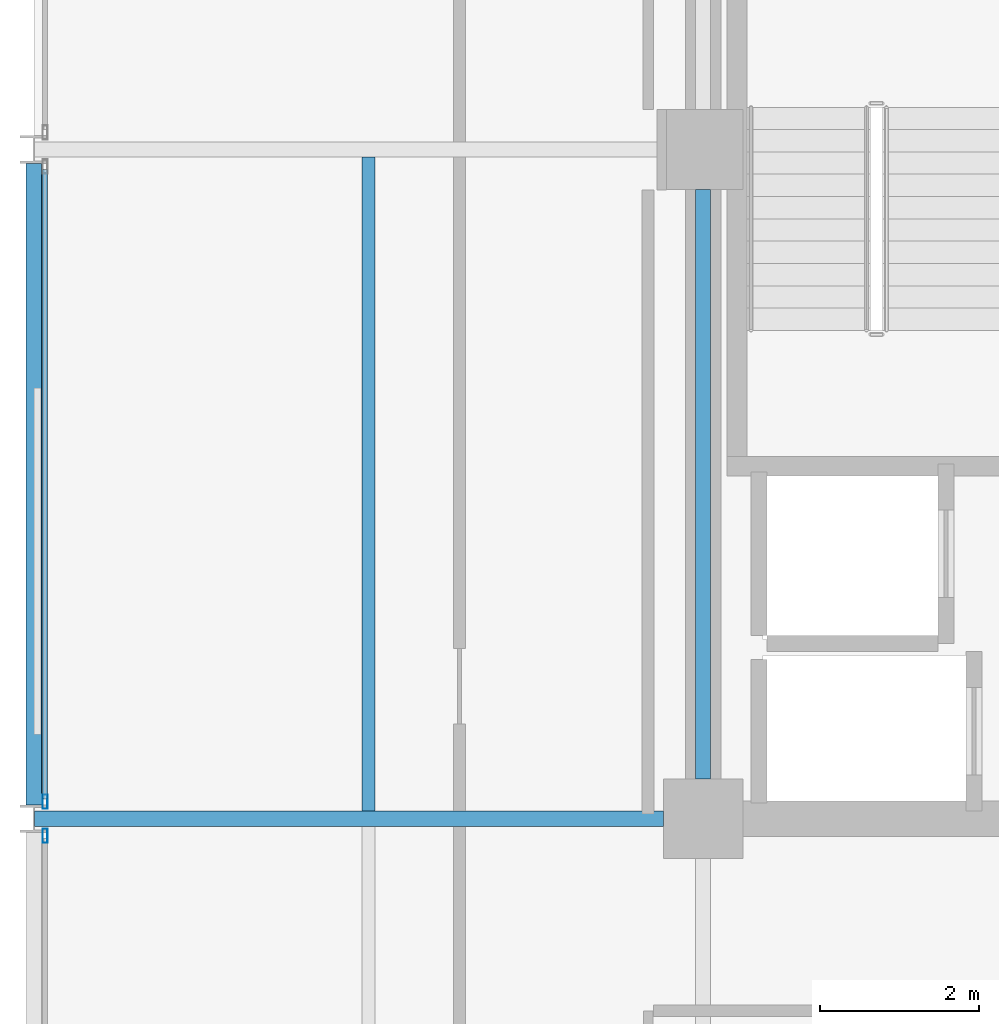
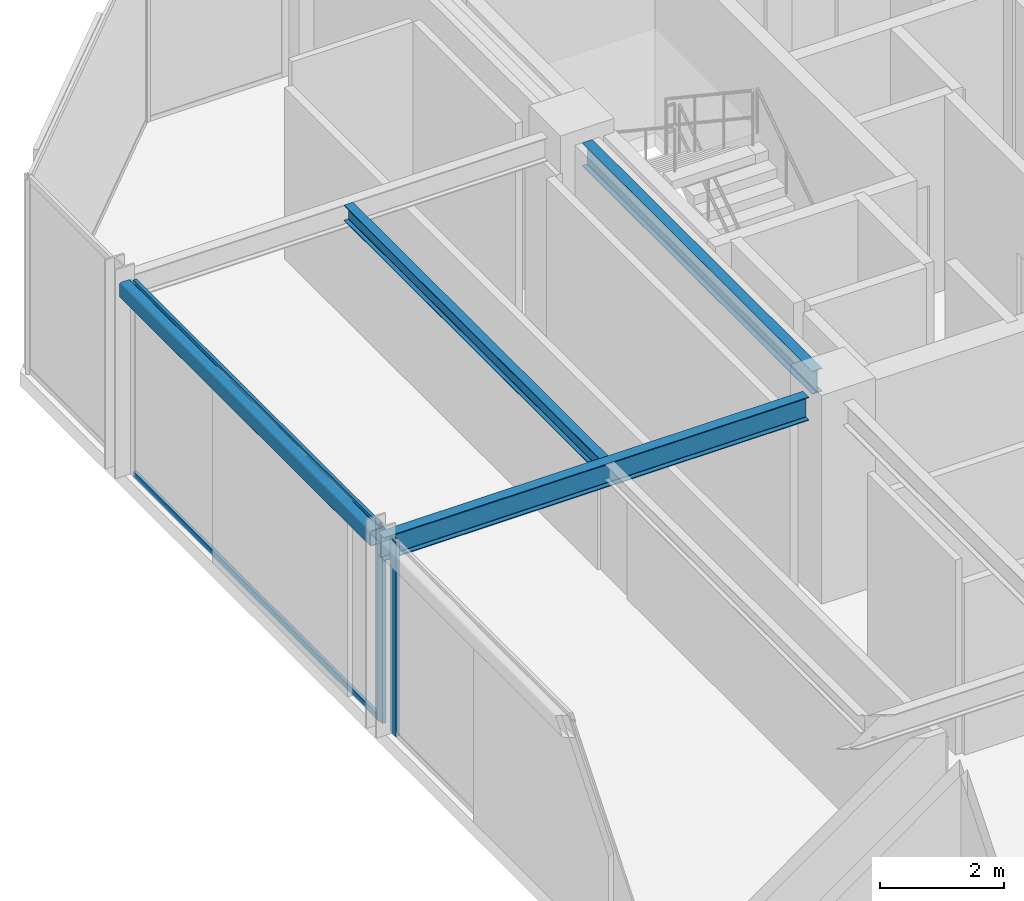
# One storey, part 10 of 25: 4 beams, 4 members, 2 elements without a shape of their own.
"""IFC4 building model written with IfcOpenShell, lengths in metres."""

from ifc_helpers import new_model, si_unit, direction, frame, origin, origin_2d, place, context, subcontext, project, spatial, hollow_rectangle, i_section, extrude, material, layer, layer_set, material_profile, profile_set, type_object, element, aggregate, save


model = new_model("IFC4")

# Units and contexts
model_context = context("Model", 3, precision=1e-05, world=origin(), true_north=direction((0.0, 1.0)))
body_context = subcontext(model_context, "Body", "Model", "MODEL_VIEW")
ifc_project = project(units=[si_unit("LENGTHUNIT", "METRE"), si_unit("AREAUNIT", "SQUARE_METRE"), si_unit("VOLUMEUNIT", "CUBIC_METRE"), si_unit("PLANEANGLEUNIT", "RADIAN"), si_unit("MASSUNIT", "GRAM", prefix="KILO")], contexts=[model_context])

# Site, building, storey
site_placement = place(None, origin())
site = spatial("IfcSite", under=ifc_project, at=site_placement, CompositionType="ELEMENT")
building_placement = place(site_placement, origin())
building = spatial("IfcBuilding", under=site, at=building_placement, Name="Nerrivon Quay Data Exchange", CompositionType="ELEMENT")
storey_placement = place(building_placement, frame((0.0, 0.0, 232.89990234375)))
storey = spatial("IfcBuildingStorey", under=building, at=storey_placement, Name="L55", CompositionType="ELEMENT", Elevation=232.89990234375)

# Beams
ifc_material_1 = material(Name="Steel Grade 350", Category="steel")
ifc_material_profile_1 = material_profile(ifc_material_1, i_section(OverallWidth=0.19091796875, OverallDepth=0.4599609375, WebThickness=0.010009765625, FlangeThickness=0.01611328125, FilletRadius=0.011474609375, at=origin_2d()), Name="460UB82.1")
ifc_profile_set_1 = profile_set([ifc_material_profile_1], Name="Steel Grade 350")
beam_type_1 = type_object("IfcBeamType", Name="BM-G5-460UB82", PredefinedType="BEAM", material=ifc_profile_set_1)
beam_1_placement = place(storey_placement, frame((0.010009765625, 25.199951171875, 3.59521484375), z_axis=(1.0, 0.0, 0.0), x_axis=(0.0, 1.0, 0.0)))
element("IfcBeam", 1, at=beam_1_placement, inside=storey, type_object=beam_type_1, Name="L55 EW Girder Y=25.2 (0.0..8.4)", PredefinedType="BEAM", context=body_context, shape_type="SweptSolid", body=[
    extrude(i_section(OverallWidth=0.19091796875, OverallDepth=0.4599609375, WebThickness=0.010009765625, FlangeThickness=0.01611328125, FilletRadius=0.011474609375, at=origin_2d()), origin(), (0.0, 0.0, 1.0), 7.889892578125),
])
ifc_material_profile_2 = material_profile(ifc_material_1, i_section(OverallWidth=0.18994140625, OverallDepth=0.4541015625, WebThickness=0.008544921875, FlangeThickness=0.0126953125, FilletRadius=0.011474609375, at=origin_2d()), Name="460UB67.1")
ifc_profile_set_2 = profile_set([ifc_material_profile_2], Name="Steel Grade 350")
beam_type_2 = type_object("IfcBeamType", Name="BM-G6-460UB67", PredefinedType="BEAM", material=ifc_profile_set_2)
beam_2_placement = place(storey_placement, frame((8.39990234375, 25.699951171875, 3.59814453125), z_axis=(0.0, 1.0, 0.0), x_axis=(-1.0, 0.0, 0.0)))
element("IfcBeam", 2, at=beam_2_placement, inside=storey, type_object=beam_type_2, Name="L55 NS Girder X=8.4 (25.2..33.6)", PredefinedType="BEAM", context=body_context, shape_type="SweptSolid", body=[
    extrude(i_section(OverallWidth=0.18994140625, OverallDepth=0.4541015625, WebThickness=0.008544921875, FlangeThickness=0.0126953125, FilletRadius=0.011474609375, at=origin_2d()), origin(), (0.0, 0.0, 1.0), 7.400146484375),
])
ifc_material_profile_3 = material_profile(ifc_material_1, i_section(OverallWidth=0.166015625, OverallDepth=0.306884765625, WebThickness=0.006591796875, FlangeThickness=0.01171875, FilletRadius=0.011474609375, at=origin_2d()), Name="310UB46.2")
ifc_profile_set_3 = profile_set([ifc_material_profile_3], Name="Steel Grade 350")
beam_type_3 = type_object("IfcBeamType", Name="BM-J5-310UB46", PredefinedType="JOIST", material=ifc_profile_set_3)
beam_3_placement = place(storey_placement, frame((4.199951171875, 25.29541015625, 3.671630859375), z_axis=(0.0, 1.0, 0.0), x_axis=(-1.0, 0.0, 0.0)))
element("IfcBeam", 3, at=beam_3_placement, inside=storey, type_object=beam_type_3, Name="L55 Secondary Joist X=4.2 (25.2..33.6)", PredefinedType="JOIST", context=body_context, shape_type="SweptSolid", body=[
    extrude(i_section(OverallWidth=0.166015625, OverallDepth=0.306884765625, WebThickness=0.006591796875, FlangeThickness=0.01171875, FilletRadius=0.011474609375, at=origin_2d()), origin(), (0.0, 0.0, 1.0), 8.208984375),
])
ifc_material_2 = material(Name="Steel Grade C350L0 (350 MPa)", Category="steel")
ifc_material_profile_4 = material_profile(ifc_material_2, hollow_rectangle(XDim=0.199951171875, YDim=0.300048828125, WallThickness=0.012451171875, InnerFilletRadius=0.018798828125, OuterFilletRadius=0.03125, at=origin_2d()), Name="300x200x12.5RHS")
ifc_profile_set_4 = profile_set([ifc_material_profile_4], Name="Steel Grade C350L0 (350 MPa)")
beam_type_4 = type_object("IfcBeamType", Name="BM-SP3-300x200RHS", PredefinedType="SPANDREL", material=ifc_profile_set_4)
beam_4_placement = place(storey_placement, frame((0.0, 25.375, 3.675048828125), z_axis=(0.0, 1.0, 0.0), x_axis=(-1.0, 0.0, 0.0)))
element("IfcBeam", 4, at=beam_4_placement, inside=storey, type_object=beam_type_4, Name="L55 NS Girder X=0.0 (25.2..33.6)", PredefinedType="SPANDREL", context=body_context, shape_type="SweptSolid", body=[
    extrude(hollow_rectangle(XDim=0.199951171875, YDim=0.300048828125, WallThickness=0.012451171875, InnerFilletRadius=0.018798828125, OuterFilletRadius=0.03125, at=origin_2d()), origin(), (0.0, 0.0, 1.0), 8.050048828125),
])

# Curtain wall, member
ifc_material_3 = material(Name="Anodised aluminium 6063-T6", Category="aluminium")
ifc_layer = layer(ifc_material_3, 0.195068359375)
ifc_layer_set = layer_set([ifc_layer], Name="Anodised aluminium 6063-T6")
curtain_wall_type = type_object("IfcCurtainWallType", Name="CW-SYS-06", PredefinedType="NOTDEFINED", material=ifc_layer_set)
curtain_wall_1_placement = place(storey_placement, origin())
curtain_wall_1 = element("IfcCurtainWall", 5, at=curtain_wall_1_placement, inside=storey, type_object=curtain_wall_type, Name="L55 Unitised Curtain Wall 13", PredefinedType="NOTDEFINED")
ifc_material_profile_5 = material_profile(ifc_material_3, hollow_rectangle(XDim=0.06494140625, YDim=0.179931640625, WallThickness=0.00341796875, at=origin_2d()), Name="ALU-MULL-180x65")
ifc_profile_set_5 = profile_set([ifc_material_profile_5], Name="Anodised aluminium 6063-T6")
member_type_1 = type_object("IfcMemberType", Name="CWM-180x65", PredefinedType="MULLION", material=ifc_profile_set_5)
member_1_placement = place(storey_placement, frame((0.139892578125, 24.987548828125, 0.0), z_axis=(0.0, 0.0, 1.0), x_axis=(-1.0, 0.0, 0.0)))
member_1 = element("IfcMember", 6, at=member_1_placement, type_object=member_type_1, Name="CW06 mullion 2", PredefinedType="MULLION", context=body_context, shape_type="SweptSolid", body=[
    extrude(hollow_rectangle(XDim=0.06494140625, YDim=0.179931640625, WallThickness=0.00341796875, at=origin_2d()), origin(), (0.0, 0.0, 1.0), 3.8251953125),
])
aggregate(curtain_wall_1, [member_1])

# Curtain wall, members
curtain_wall_2_placement = place(storey_placement, origin())
curtain_wall_2 = element("IfcCurtainWall", 7, at=curtain_wall_2_placement, inside=storey, type_object=curtain_wall_type, Name="L55 Unitised Curtain Wall 14", PredefinedType="NOTDEFINED")
member_2_placement = place(storey_placement, frame((0.139892578125, 25.41259765625, 0.0), z_axis=(0.0, 0.0, 1.0), x_axis=(-1.0, 0.0, 0.0)))
member_2 = element("IfcMember", 8, at=member_2_placement, type_object=member_type_1, Name="CW06 mullion 1", PredefinedType="MULLION", context=body_context, shape_type="SweptSolid", body=[
    extrude(hollow_rectangle(XDim=0.06494140625, YDim=0.179931640625, WallThickness=0.00341796875, at=origin_2d()), origin(), (0.0, 0.0, 1.0), 3.8251953125),
])
ifc_material_profile_6 = material_profile(ifc_material_3, hollow_rectangle(XDim=0.06005859375, YDim=0.1201171875, WallThickness=0.003173828125, at=origin_2d()), Name="ALU-TRAN-120x60")
ifc_profile_set_6 = profile_set([ifc_material_profile_6], Name="Anodised aluminium 6063-T6")
member_type_2 = type_object("IfcMemberType", Name="CWT-120x60", PredefinedType="USERDEFINED", material=ifc_profile_set_6)
member_3_placement = place(storey_placement, frame((0.139892578125, 25.449951171875, 0.03271484375), z_axis=(0.0, 1.0, 0.0), x_axis=(-1.0, 0.0, 0.0)))
member_3 = element("IfcMember", 9, at=member_3_placement, type_object=member_type_2, Name="CW06 transom 1.1", ObjectType="TRANSOM", PredefinedType="USERDEFINED", context=body_context, shape_type="SweptSolid", body=[
    extrude(hollow_rectangle(XDim=0.06005859375, YDim=0.1201171875, WallThickness=0.003173828125, at=origin_2d()), origin(), (0.0, 0.0, 1.0), 7.900146484375),
])
member_4_placement = place(storey_placement, frame((0.139892578125, 25.449951171875, 3.79248046875), z_axis=(0.0, 1.0, 0.0), x_axis=(-1.0, 0.0, 0.0)))
member_4 = element("IfcMember", 10, at=member_4_placement, type_object=member_type_2, Name="CW06 transom 1.2", ObjectType="TRANSOM", PredefinedType="USERDEFINED", context=body_context, shape_type="SweptSolid", body=[
    extrude(hollow_rectangle(XDim=0.06005859375, YDim=0.1201171875, WallThickness=0.003173828125, at=origin_2d()), origin(), (0.0, 0.0, 1.0), 7.900146484375),
])
aggregate(curtain_wall_2, [member_2, member_3, member_4])

save(model, "model.ifc")
